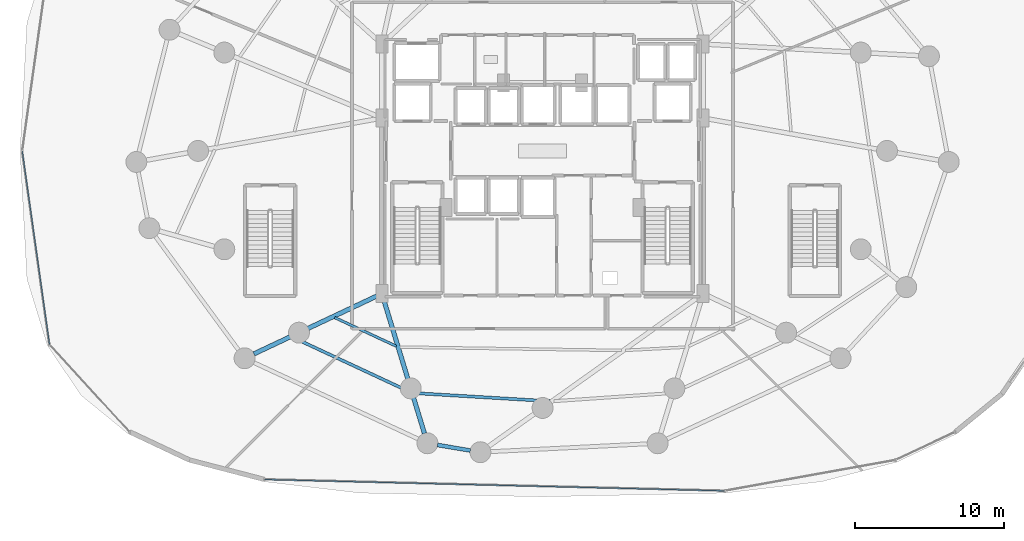
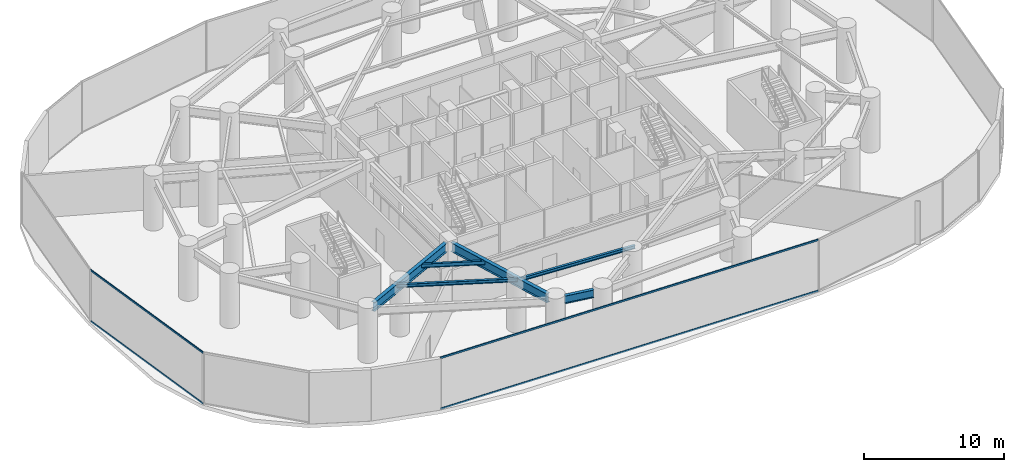
# One storey, part 5 of 26: 6 beams, 4 members, 2 elements without a shape of their own.
"""IFC4 building model written with IfcOpenShell, lengths in metres."""

from ifc_helpers import new_model, si_unit, direction, frame, origin, origin_2d, place, context, subcontext, project, spatial, hollow_rectangle, i_section, extrude, material, material_profile, profile_set, type_object, element, aggregate, save


model = new_model("IFC4")

# Units and contexts
model_context = context("Model", 3, precision=1e-05, world=origin(), true_north=direction((0.0, 1.0)))
body_context = subcontext(model_context, "Body", "Model", "MODEL_VIEW")
ifc_project = project(units=[si_unit("LENGTHUNIT", "METRE"), si_unit("AREAUNIT", "SQUARE_METRE"), si_unit("VOLUMEUNIT", "CUBIC_METRE"), si_unit("PLANEANGLEUNIT", "RADIAN"), si_unit("MASSUNIT", "GRAM", prefix="KILO")], contexts=[model_context])

# Site, building, storey
site_placement = place(None, origin())
site = spatial("IfcSite", under=ifc_project, at=site_placement, CompositionType="ELEMENT")
building_placement = place(site_placement, origin())
building = spatial("IfcBuilding", under=site, at=building_placement, Name="Vorneva Point Tower", CompositionType="ELEMENT")
storey_placement = place(building_placement, frame((0.0, 0.0, 14.39990234375)))
storey = spatial("IfcBuildingStorey", under=building, at=storey_placement, Name="L03", CompositionType="ELEMENT", Elevation=14.39990234375)

# Beams
ifc_material_1 = material(Name="Steel S355", Category="steel")
ifc_material_profile_1 = material_profile(ifc_material_1, i_section(OverallWidth=0.300048828125, OverallDepth=0.7880859375, WebThickness=0.014404296875, FlangeThickness=0.02197265625, at=origin_2d()), Name="80Sh1")
ifc_profile_set_1 = profile_set([ifc_material_profile_1], Name="Steel S355")
beam_type_1 = type_object("IfcBeamType", Name="BM-GRD-80Sh1", PredefinedType="USERDEFINED", material=ifc_profile_set_1)
beam_1_placement = place(storey_placement, frame((18.683837890625, 12.417236328125, 4.086181640625), z_axis=(0.904752620724, 0.425937431195, 0.0), x_axis=(-0.425937431195, 0.904752620724, 0.0)))
element("IfcBeam", 1, at=beam_1_placement, inside=storey, type_object=beam_type_1, Name="L03 Radial Primary Girder 11", ObjectType="GIRDER", PredefinedType="USERDEFINED", context=body_context, shape_type="SweptSolid", body=[
    extrude(i_section(OverallWidth=0.300048828125, OverallDepth=0.7880859375, WebThickness=0.014404296875, FlangeThickness=0.02197265625, at=origin_2d()), origin(), (0.0, 0.0, 1.0), 9.1279296875),
])
beam_2_placement = place(storey_placement, frame((30.0966796875, 7.093505859375, 4.086181640625), z_axis=(-0.291056642682, 0.956705822471, 0.0), x_axis=(-0.956705822471, -0.291056642682, 0.0)))
element("IfcBeam", 2, at=beam_2_placement, inside=storey, type_object=beam_type_1, Name="L03 Radial Primary Girder 12", ObjectType="GIRDER", PredefinedType="USERDEFINED", context=body_context, shape_type="SweptSolid", body=[
    extrude(i_section(OverallWidth=0.300048828125, OverallDepth=0.7880859375, WebThickness=0.014404296875, FlangeThickness=0.02197265625, at=origin_2d()), origin(), (0.0, 0.0, 1.0), 9.43994140625),
])
ifc_material_profile_2 = material_profile(ifc_material_1, i_section(OverallWidth=0.199951171875, OverallDepth=0.291015625, WebThickness=0.008056640625, FlangeThickness=0.010986328125, at=origin_2d()), Name="30Sh1")
ifc_profile_set_2 = profile_set([ifc_material_profile_2], Name="Steel S355")
beam_type_2 = type_object("IfcBeamType", Name="BM-SEC-30Sh1", PredefinedType="BEAM", material=ifc_profile_set_2)
beam_3_placement = place(storey_placement, frame((21.28662109375, 13.525390625, 4.334716796875), z_axis=(0.906358539677, -0.422509405286, 0.0), x_axis=(0.422509405286, 0.906358539677, 0.0)))
element("IfcBeam", 3, at=beam_3_placement, inside=storey, type_object=beam_type_2, Name="L03 Secondary Floor Beam 1.11", PredefinedType="BEAM", context=body_context, shape_type="SweptSolid", body=[
    extrude(i_section(OverallWidth=0.199951171875, OverallDepth=0.291015625, WebThickness=0.008056640625, FlangeThickness=0.010986328125, at=origin_2d()), origin(), (0.0, 0.0, 1.0), 8.672607421875),
])
beam_4_placement = place(storey_placement, frame((29.41015625, 9.79443359375, 4.334716796875), z_axis=(0.998213184579, -0.059753143279, 0.0), x_axis=(0.059753143279, 0.998213184579, 0.0)))
element("IfcBeam", 4, at=beam_4_placement, inside=storey, type_object=beam_type_2, Name="L03 Secondary Floor Beam 1.12", PredefinedType="BEAM", context=body_context, shape_type="SweptSolid", body=[
    extrude(i_section(OverallWidth=0.199951171875, OverallDepth=0.291015625, WebThickness=0.008056640625, FlangeThickness=0.010986328125, at=origin_2d()), origin(), (0.0, 0.0, 1.0), 9.091064453125),
])
ifc_material_profile_3 = material_profile(ifc_material_1, i_section(OverallWidth=0.174072265625, OverallDepth=0.345947265625, WebThickness=0.006103515625, FlangeThickness=0.009033203125, at=origin_2d()), Name="35B1")
ifc_profile_set_3 = profile_set([ifc_material_profile_3], Name="Steel S355")
beam_type_3 = type_object("IfcBeamType", Name="BM-SEC-35B1", PredefinedType="BEAM", material=ifc_profile_set_3)
beam_5_placement = place(storey_placement, frame((24.094482421875, 14.847412109375, 4.30712890625), z_axis=(0.906701513467, -0.421772883762, 0.0), x_axis=(0.421772883762, 0.906701513467, 0.0)))
element("IfcBeam", 5, at=beam_5_placement, inside=storey, type_object=beam_type_3, Name="L03 Secondary Floor Beam 2.11", PredefinedType="BEAM", context=body_context, shape_type="SweptSolid", body=[
    extrude(i_section(OverallWidth=0.174072265625, OverallDepth=0.345947265625, WebThickness=0.006103515625, FlangeThickness=0.009033203125, at=origin_2d()), origin(), (0.0, 0.0, 1.0), 4.542236328125),
])
ifc_material_profile_4 = material_profile(ifc_material_1, i_section(OverallWidth=0.260009765625, OverallDepth=0.69091796875, WebThickness=0.011962890625, FlangeThickness=0.015380859375, at=origin_2d()), Name="70B1")
ifc_profile_set_4 = profile_set([ifc_material_profile_4], Name="Steel S355")
beam_type_4 = type_object("IfcBeamType", Name="BM-SPN-70B1", PredefinedType="SPANDREL", material=ifc_profile_set_4)
beam_6_placement = place(storey_placement, frame((30.972412109375, 6.32177734375, 4.134521484375), z_axis=(0.986173405791, -0.165716666964, 0.0), x_axis=(0.165716666964, 0.986173405791, 0.0)))
element("IfcBeam", 6, at=beam_6_placement, inside=storey, type_object=beam_type_4, Name="L03 Perimeter Spandrel Ring Beam 12", PredefinedType="SPANDREL", context=body_context, shape_type="SweptSolid", body=[
    extrude(i_section(OverallWidth=0.260009765625, OverallDepth=0.69091796875, WebThickness=0.011962890625, FlangeThickness=0.015380859375, at=origin_2d()), origin(), (0.0, 0.0, 1.0), 2.22314453125),
])

# Curtain wall, members
ifc_material_2 = material(Name="Pale anodised aluminium", Category="aluminium")
curtain_wall_type = type_object("IfcCurtainWallType", Name="CW-POD-SYS", PredefinedType="NOTDEFINED", material=ifc_material_2)
curtain_wall_1_placement = place(storey_placement, origin())
curtain_wall_1 = element("IfcCurtainWall", 7, at=curtain_wall_1_placement, inside=storey, type_object=curtain_wall_type, Name="L03 Unitised Curtain Wall CW-L03-R03", PredefinedType="NOTDEFINED")
ifc_material_profile_5 = material_profile(ifc_material_2, hollow_rectangle(XDim=0.074951171875, YDim=0.14990234375, WallThickness=0.00390625, at=origin_2d()), Name="AL-TRN 150x75x4")
ifc_profile_set_5 = profile_set([ifc_material_profile_5], Name="Pale anodised aluminium")
member_type = type_object("IfcMemberType", Name="CW-TRN-150", PredefinedType="USERDEFINED", material=ifc_profile_set_5)
member_1_placement = place(storey_placement, frame((3.185546875, 26.0, 0.02001953125), z_axis=(0.139528352326, -0.990218076434, 0.0), x_axis=(0.990218076434, 0.139528352326, 0.0)))
member_1 = element("IfcMember", 8, at=member_1_placement, type_object=member_type, Name="CW-L03-R03 Transom 02.1", ObjectType="TRANSOM", PredefinedType="USERDEFINED", context=body_context, shape_type="SweptSolid", body=[
    extrude(hollow_rectangle(XDim=0.074951171875, YDim=0.14990234375, WallThickness=0.00390625, at=origin_2d()), origin(), (0.0, 0.0, 1.0), 13.07421875),
])
member_2_placement = place(storey_placement, frame((3.185546875, 26.0, 4.460205078125), z_axis=(0.139528352326, -0.990218076434, 0.0), x_axis=(0.990218076434, 0.139528352326, 0.0)))
member_2 = element("IfcMember", 9, at=member_2_placement, type_object=member_type, Name="CW-L03-R03 Transom 02.2", ObjectType="TRANSOM", PredefinedType="USERDEFINED", context=body_context, shape_type="SweptSolid", body=[
    extrude(hollow_rectangle(XDim=0.074951171875, YDim=0.14990234375, WallThickness=0.00390625, at=origin_2d()), origin(), (0.0, 0.0, 1.0), 13.07421875),
])
aggregate(curtain_wall_1, [member_1, member_2])

curtain_wall_2_placement = place(storey_placement, origin())
curtain_wall_2 = element("IfcCurtainWall", 10, at=curtain_wall_2_placement, inside=storey, type_object=curtain_wall_type, Name="L03 Unitised Curtain Wall CW-L03-R04", PredefinedType="NOTDEFINED")
member_3_placement = place(storey_placement, frame((19.3818359375, 4.012939453125, 0.02001953125), z_axis=(0.999694278386, -0.02472548811, 0.0), x_axis=(0.02472548811, 0.999694278386, 0.0)))
member_3 = element("IfcMember", 11, at=member_3_placement, type_object=member_type, Name="CW-L03-R04 Transom 01.1", ObjectType="TRANSOM", PredefinedType="USERDEFINED", context=body_context, shape_type="SweptSolid", body=[
    extrude(hollow_rectangle(XDim=0.074951171875, YDim=0.14990234375, WallThickness=0.00390625, at=origin_2d()), origin(), (0.0, 0.0, 1.0), 30.80712890625),
])
member_4_placement = place(storey_placement, frame((19.3818359375, 4.012939453125, 4.460205078125), z_axis=(0.999694278386, -0.02472548811, 0.0), x_axis=(0.02472548811, 0.999694278386, 0.0)))
member_4 = element("IfcMember", 12, at=member_4_placement, type_object=member_type, Name="CW-L03-R04 Transom 01.2", ObjectType="TRANSOM", PredefinedType="USERDEFINED", context=body_context, shape_type="SweptSolid", body=[
    extrude(hollow_rectangle(XDim=0.074951171875, YDim=0.14990234375, WallThickness=0.00390625, at=origin_2d()), origin(), (0.0, 0.0, 1.0), 30.80712890625),
])
aggregate(curtain_wall_2, [member_3, member_4])

save(model, "model.ifc")
